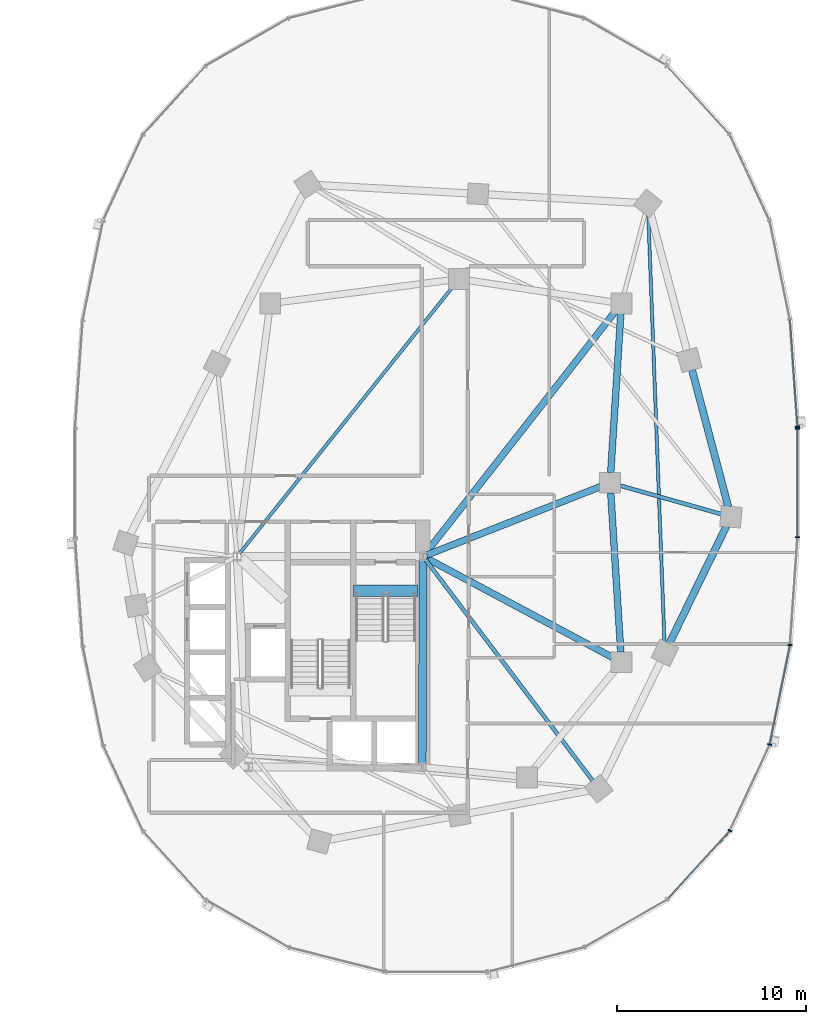
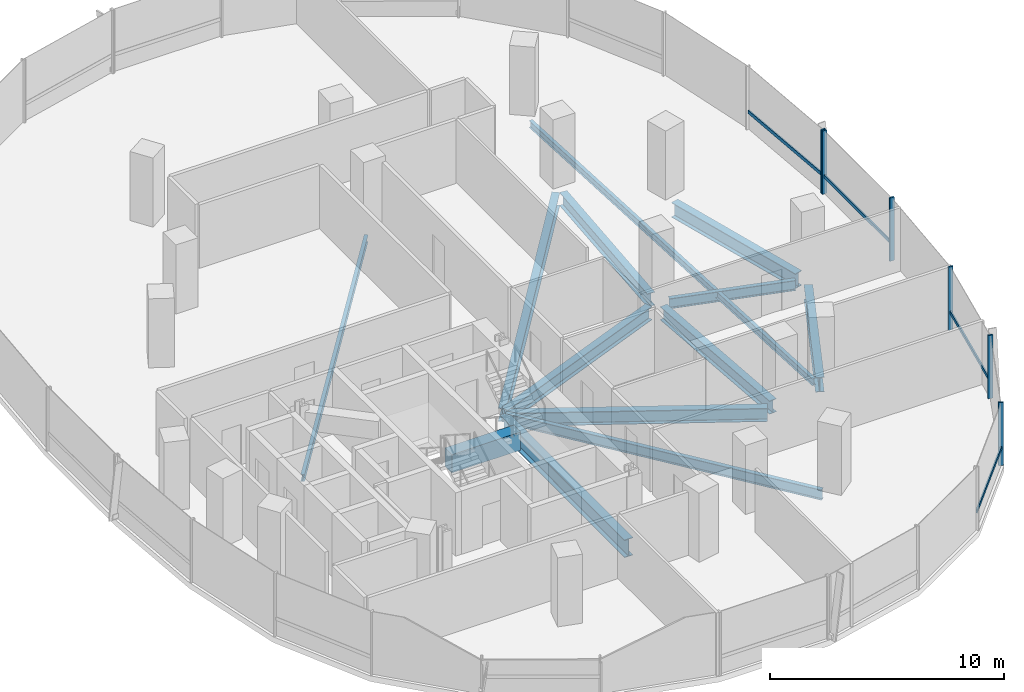
# One storey, part 6 of 21: 13 beams, 10 members, 2 elements without a shape of their own.
"""IFC4 building model written with IfcOpenShell, lengths in metres."""

from ifc_helpers import new_model, si_unit, direction, frame, origin, origin_2d, place, context, subcontext, project, spatial, rectangle, i_section, extrude, material, material_profile, profile_set, type_object, element, aggregate, save


model = new_model("IFC4")

# Units and contexts
model_context = context("Model", 3, precision=1e-05, world=origin(), true_north=direction((0.0, 1.0)))
body_context = subcontext(model_context, "Body", "Model", "MODEL_VIEW")
ifc_project = project(units=[si_unit("LENGTHUNIT", "METRE"), si_unit("AREAUNIT", "SQUARE_METRE"), si_unit("VOLUMEUNIT", "CUBIC_METRE"), si_unit("PLANEANGLEUNIT", "RADIAN"), si_unit("MASSUNIT", "GRAM", prefix="KILO"), si_unit("THERMODYNAMICTEMPERATUREUNIT", "KELVIN"), si_unit("POWERUNIT", "WATT")], contexts=[model_context])

# Site, building, storey
site_placement = place(None, origin())
site = spatial("IfcSite", under=ifc_project, at=site_placement, CompositionType="ELEMENT")
building_placement = place(site_placement, origin())
building = spatial("IfcBuilding", under=site, at=building_placement, Name="Cundina Bronze Exchange", CompositionType="ELEMENT")
storey_placement = place(building_placement, frame((0.0, 0.0, 89.0)))
storey = spatial("IfcBuildingStorey", under=building, at=storey_placement, Name="L22", CompositionType="ELEMENT", Elevation=89.0)

# Beams
ifc_material_1 = material(Name="Concrete C60/75", Category="concrete")
ifc_material_profile_1 = material_profile(ifc_material_1, rectangle(XDim=0.60009765625, YDim=0.949951171875, at=origin_2d()), Name="RC600X950", Category="concrete")
ifc_profile_set_1 = profile_set([ifc_material_profile_1], Name="Concrete C60/75")
beam_type_1 = type_object("IfcBeamType", Name="BM-COUP-RC950", PredefinedType="LINTEL", material=ifc_profile_set_1)
beam_1_placement = place(storey_placement, frame((27.6201171875, -5.719970703125, -0.47509765625), z_axis=(1.0, 0.0, 0.0), x_axis=(0.0, 1.0, 0.0)))
element("IfcBeam", 1, at=beam_1_placement, inside=storey, type_object=beam_type_1, Name="L22 Stair E1 Landing Header Beam", PredefinedType="LINTEL", context=body_context, shape_type="SweptSolid", body=[
    extrude(rectangle(XDim=0.60009765625, YDim=0.949951171875, at=origin_2d()), origin(), (0.0, 0.0, 1.0), 3.39990234375),
])
ifc_material_2 = material(Name="Steel ASTM A992 Grade 50", Category="steel")
ifc_material_profile_2 = material_profile(ifc_material_2, i_section(OverallWidth=0.2099609375, OverallDepth=0.532958984375, WebThickness=0.01025390625, FlangeThickness=0.015625, FilletRadius=0.013916015625, at=origin_2d()), Name="W21X62", Category="steel")
ifc_profile_set_2 = profile_set([ifc_material_profile_2], Name="Steel ASTM A992 Grade 50")
beam_type_2 = type_object("IfcBeamType", Name="BM-FLR-W21B", PredefinedType="BEAM", material=ifc_profile_set_2)
beam_2_placement = place(storey_placement, frame((31.423095703125, -4.062744140625, -0.56640625), z_axis=(0.603095885041, -0.797668699052, 0.0), x_axis=(0.797668699052, 0.603095885041, 0.0)))
element("IfcBeam", 2, at=beam_2_placement, inside=storey, type_object=beam_type_2, Name="L22 Leg E Chordal Floor Beam 06", PredefinedType="BEAM", context=body_context, shape_type="SweptSolid", body=[
    extrude(i_section(OverallWidth=0.2099609375, OverallDepth=0.532958984375, WebThickness=0.01025390625, FlangeThickness=0.015625, FilletRadius=0.013916015625, at=origin_2d()), origin(), (0.0, 0.0, 1.0), 14.677978515625),
])
beam_3_placement = place(storey_placement, frame((41.718017578125, -0.145751953125, -0.56640625), z_axis=(0.962654865541, -0.270731619598, 0.0), x_axis=(0.270731619598, 0.962654865541, 0.0)))
element("IfcBeam", 3, at=beam_3_placement, inside=storey, type_object=beam_type_2, Name="L22 Leg E Chordal Floor Beam 08", PredefinedType="BEAM", context=body_context, shape_type="SweptSolid", body=[
    extrude(i_section(OverallWidth=0.2099609375, OverallDepth=0.532958984375, WebThickness=0.01025390625, FlangeThickness=0.015625, FilletRadius=0.013916015625, at=origin_2d()), origin(), (0.0, 0.0, 1.0), 5.572021484375),
])
ifc_material_profile_3 = material_profile(ifc_material_2, i_section(OverallWidth=0.172119140625, OverallDepth=0.35791015625, WebThickness=0.0078125, FlangeThickness=0.01318359375, FilletRadius=0.010009765625, at=origin_2d()), Name="W14X38", Category="steel")
ifc_profile_set_3 = profile_set([ifc_material_profile_3], Name="Steel ASTM A992 Grade 50")
beam_type_3 = type_object("IfcBeamType", Name="BM-JST-W14", PredefinedType="JOIST", material=ifc_profile_set_3)
beam_4_placement = place(storey_placement, frame((21.577392578125, -3.740478515625, -0.47900390625), z_axis=(0.62436887964, 0.781129632095, 0.0), x_axis=(-0.781129632095, 0.62436887964, 0.0)))
element("IfcBeam", 4, at=beam_4_placement, inside=storey, type_object=beam_type_3, Name="L22 E Interior Core-to-Ring Joist 2", PredefinedType="JOIST", context=body_context, shape_type="SweptSolid", body=[
    extrude(i_section(OverallWidth=0.172119140625, OverallDepth=0.35791015625, WebThickness=0.0078125, FlangeThickness=0.01318359375, FilletRadius=0.010009765625, at=origin_2d()), origin(), (0.0, 0.0, 1.0), 18.076904296875),
])
beam_5_placement = place(storey_placement, frame((44.07958984375, -8.46240234375, -0.47900390625), z_axis=(-0.03778951385, 0.999285721224, 0.0), x_axis=(-0.999285721224, -0.03778951385, 0.0)))
element("IfcBeam", 5, at=beam_5_placement, inside=storey, type_object=beam_type_3, Name="L22 Leg E Lobe Floor Joist 07-10", PredefinedType="JOIST", context=body_context, shape_type="SweptSolid", body=[
    extrude(i_section(OverallWidth=0.172119140625, OverallDepth=0.35791015625, WebThickness=0.0078125, FlangeThickness=0.01318359375, FilletRadius=0.010009765625, at=origin_2d()), origin(), (0.0, 0.0, 1.0), 22.7412109375),
])
ifc_material_profile_4 = material_profile(ifc_material_2, i_section(OverallWidth=0.35498046875, OverallDepth=0.695068359375, WebThickness=0.015380859375, FlangeThickness=0.02490234375, FilletRadius=0.01806640625, at=origin_2d()), Name="W27X146", Category="steel")
ifc_profile_set_4 = profile_set([ifc_material_profile_4], Name="Steel ASTM A992 Grade 50")
beam_type_4 = type_object("IfcBeamType", Name="BM-RING-W27", PredefinedType="USERDEFINED", material=ifc_profile_set_4)
for number, where, z_axis, x_axis, name in (
    (6, (41.76611328125, -8.963134765625, -0.6474609375), (-0.06303715519, 0.998011180832, 0.0), (-0.998011180832, -0.06303715519, 0.0), "L22 E Inner Structural Ring Girder 03"),
    (7, (41.23388671875, 0.536865234375, -0.6474609375), (0.06303715519, 0.998011180832, 0.0), (-0.998011180832, 0.06303715519, 0.0), "L22 E Inner Structural Ring Girder 04"),
):
    element("IfcBeam", number, at=place(storey_placement, frame(where, z_axis=z_axis, x_axis=x_axis)), inside=storey, type_object=beam_type_4, Name=name, ObjectType="GIRDER", PredefinedType="USERDEFINED", context=body_context, shape_type="SweptSolid", body=[
        extrude(i_section(OverallWidth=0.35498046875, OverallDepth=0.695068359375, WebThickness=0.015380859375, FlangeThickness=0.02490234375, FilletRadius=0.01806640625, at=origin_2d()), origin(), (0.0, 0.0, 1.0), 8.443115234375),
    ])
beam_6_placement = place(storey_placement, frame((31.48974609375, -3.8251953125, -0.6474609375), z_axis=(0.930413235418, 0.366512225388, 0.0), x_axis=(-0.366512225388, 0.930413235418, 0.0)))
element("IfcBeam", 8, at=beam_6_placement, inside=storey, type_object=beam_type_4, Name="L22 E Core-to-Waist Tie Beam 1", ObjectType="GIRDER", PredefinedType="USERDEFINED", context=body_context, shape_type="SweptSolid", body=[
    extrude(i_section(OverallWidth=0.35498046875, OverallDepth=0.695068359375, WebThickness=0.015380859375, FlangeThickness=0.02490234375, FilletRadius=0.01806640625, at=origin_2d()), origin(), (0.0, 0.0, 1.0), 9.8984375),
])
beam_7_placement = place(storey_placement, frame((31.47998046875, -3.99609375, -0.6474609375), z_axis=(0.882354758239, -0.470584828286, 0.0), x_axis=(0.470584828286, 0.882354758239, 0.0)))
element("IfcBeam", 9, at=beam_7_placement, inside=storey, type_object=beam_type_4, Name="L22 E Core-to-Waist Tie Beam 2", ObjectType="GIRDER", PredefinedType="USERDEFINED", context=body_context, shape_type="SweptSolid", body=[
    extrude(i_section(OverallWidth=0.35498046875, OverallDepth=0.695068359375, WebThickness=0.015380859375, FlangeThickness=0.02490234375, FilletRadius=0.01806640625, at=origin_2d()), origin(), (0.0, 0.0, 1.0), 11.157958984375),
])
beam_8_placement = place(storey_placement, frame((31.42578125, -3.739501953125, -0.6474609375), z_axis=(0.616789275748, 0.787128318206, 0.0), x_axis=(-0.787128318206, 0.616789275748, 0.0)))
element("IfcBeam", 10, at=beam_8_placement, inside=storey, type_object=beam_type_4, Name="L22 E Core-to-Waist Tie Beam 3", ObjectType="GIRDER", PredefinedType="USERDEFINED", context=body_context, shape_type="SweptSolid", body=[
    extrude(i_section(OverallWidth=0.35498046875, OverallDepth=0.695068359375, WebThickness=0.015380859375, FlangeThickness=0.02490234375, FilletRadius=0.01806640625, at=origin_2d()), origin(), (0.0, 0.0, 1.0), 16.281982421875),
])
ifc_material_profile_5 = material_profile(ifc_material_2, i_section(OverallWidth=0.381103515625, OverallDepth=0.77294921875, WebThickness=0.0166015625, FlangeThickness=0.027099609375, FilletRadius=0.01904296875, at=origin_2d()), Name="W30X173", Category="steel")
ifc_profile_set_5 = profile_set([ifc_material_profile_5], Name="Steel ASTM A992 Grade 50")
beam_type_5 = type_object("IfcBeamType", Name="BM-RING-W30", PredefinedType="USERDEFINED", material=ifc_profile_set_5)
beam_9_placement = place(storey_placement, frame((44.335205078125, -8.51611328125, -0.6865234375), z_axis=(0.437193894283, 0.899367276924, 0.0), x_axis=(-0.899367276924, 0.437193894283, 0.0)))
element("IfcBeam", 11, at=beam_9_placement, inside=storey, type_object=beam_type_5, Name="L22 E Perimeter Ring Girder 07", ObjectType="GIRDER", PredefinedType="USERDEFINED", context=body_context, shape_type="SweptSolid", body=[
    extrude(i_section(OverallWidth=0.381103515625, OverallDepth=0.77294921875, WebThickness=0.0166015625, FlangeThickness=0.027099609375, FilletRadius=0.01904296875, at=origin_2d()), origin(), (0.0, 0.0, 1.0), 6.929443359375),
])
beam_10_placement = place(storey_placement, frame((47.462158203125, -1.280029296875, -0.6865234375), z_axis=(-0.256209719931, 0.966621218168, 0.0), x_axis=(-0.966621218168, -0.256209719931, 0.0)))
element("IfcBeam", 12, at=beam_10_placement, inside=storey, type_object=beam_type_5, Name="L22 E Perimeter Ring Girder 08", ObjectType="GIRDER", PredefinedType="USERDEFINED", context=body_context, shape_type="SweptSolid", body=[
    extrude(i_section(OverallWidth=0.381103515625, OverallDepth=0.77294921875, WebThickness=0.0166015625, FlangeThickness=0.027099609375, FilletRadius=0.01904296875, at=origin_2d()), origin(), (0.0, 0.0, 1.0), 7.5107421875),
])
ifc_material_profile_6 = material_profile(ifc_material_2, i_section(OverallWidth=0.41796875, OverallDepth=0.927001953125, WebThickness=0.019287109375, FlangeThickness=0.031982421875, FilletRadius=0.02392578125, at=origin_2d()), Name="W36X231", Category="steel")
ifc_profile_set_6 = profile_set([ifc_material_profile_6], Name="Steel ASTM A992 Grade 50")
beam_type_6 = type_object("IfcBeamType", Name="BM-WRN-W36B", PredefinedType="USERDEFINED", material=ifc_profile_set_6)
beam_11_placement = place(storey_placement, frame((31.2509765625, -14.845947265625, -0.763427734375), z_axis=(0.004477329608, 0.99998997671, 0.0), x_axis=(-0.99998997671, 0.004477329608, 0.0)))
element("IfcBeam", 13, at=beam_11_placement, inside=storey, type_object=beam_type_6, Name="L22 E Core Perimeter Tie Girder 4", ObjectType="GIRDER", PredefinedType="USERDEFINED", context=body_context, shape_type="SweptSolid", body=[
    extrude(i_section(OverallWidth=0.41796875, OverallDepth=0.927001953125, WebThickness=0.019287109375, FlangeThickness=0.031982421875, FilletRadius=0.02392578125, at=origin_2d()), origin(), (0.0, 0.0, 1.0), 10.741943359375),
])

# Curtain wall, member
ifc_material_3 = material(Name="Anodised Bronze Aluminium 6063-T6", Category="aluminium")
curtain_wall_type = type_object("IfcCurtainWallType", Name="CWS-TRD-MID", PredefinedType="NOTDEFINED", material=ifc_material_3)
curtain_wall_1_placement = place(storey_placement, origin())
curtain_wall_1 = element("IfcCurtainWall", 14, at=curtain_wall_1_placement, inside=storey, type_object=curtain_wall_type, Name="L22 CW-03 Curtain Wall Run CWR-L22-E1", PredefinedType="NOTDEFINED")
ifc_material_profile_7 = material_profile(ifc_material_3, rectangle(XDim=0.074951171875, YDim=0.219970703125, at=origin_2d()), Name="AL75X220", Category="aluminium")
ifc_profile_set_7 = profile_set([ifc_material_profile_7], Name="Anodised Bronze Aluminium 6063-T6")
member_type_1 = type_object("IfcMemberType", Name="CWM-MUL-220", PredefinedType="MULLION", material=ifc_profile_set_7)
member_1_placement = place(storey_placement, frame((51.12451171875, 2.976318359375, 0.0), z_axis=(0.0, 0.0, 1.0), x_axis=(-0.070278787473, 0.997527389113, 0.0)))
member_1 = element("IfcMember", 15, at=member_1_placement, type_object=member_type_1, Name="CW-03 Mullion 1", PredefinedType="MULLION", context=body_context, shape_type="SweptSolid", body=[
    extrude(rectangle(XDim=0.074951171875, YDim=0.219970703125, at=origin_2d()), origin(), (0.0, 0.0, 1.0), 3.300048828125),
])

# Curtain wall, members
curtain_wall_2_placement = place(storey_placement, origin())
curtain_wall_2 = element("IfcCurtainWall", 16, at=curtain_wall_2_placement, inside=storey, type_object=curtain_wall_type, Name="L22 CW-03 Curtain Wall Run CWR-L22-E4", PredefinedType="NOTDEFINED")
member_2_placement = place(storey_placement, frame((47.544189453125, -18.423583984375, 0.0), z_axis=(0.0, 0.0, 1.0), x_axis=(0.42087749791, 0.907117485088, 0.0)))
member_2 = element("IfcMember", 17, at=member_2_placement, type_object=member_type_1, Name="CW-03 Mullion 4", PredefinedType="MULLION", context=body_context, shape_type="SweptSolid", body=[
    extrude(rectangle(XDim=0.074951171875, YDim=0.219970703125, at=origin_2d()), origin(), (0.0, 0.0, 1.0), 3.300048828125),
])
member_3_placement = place(storey_placement, frame((49.651123046875, -13.861328125, 0.0), z_axis=(0.0, 0.0, 1.0), x_axis=(0.201419845156, 0.979505000486, 0.0)))
member_3 = element("IfcMember", 18, at=member_3_placement, type_object=member_type_1, Name="CW-03 Mullion 5", PredefinedType="MULLION", context=body_context, shape_type="SweptSolid", body=[
    extrude(rectangle(XDim=0.074951171875, YDim=0.219970703125, at=origin_2d()), origin(), (0.0, 0.0, 1.0), 3.300048828125),
])
member_4_placement = place(storey_placement, frame((50.72900390625, -8.591552734375, 0.0), z_axis=(0.0, 0.0, 1.0), x_axis=(0.070278787473, 0.997527389113, 0.0)))
member_4 = element("IfcMember", 19, at=member_4_placement, type_object=member_type_1, Name="CW-03 Mullion 6", PredefinedType="MULLION", context=body_context, shape_type="SweptSolid", body=[
    extrude(rectangle(XDim=0.074951171875, YDim=0.219970703125, at=origin_2d()), origin(), (0.0, 0.0, 1.0), 3.300048828125),
])
member_5_placement = place(storey_placement, frame((51.1279296875, -2.880615234375, 0.0), z_axis=(0.0, 0.0, 1.0), x_axis=(0.0, 1.0, 0.0)))
member_5 = element("IfcMember", 20, at=member_5_placement, type_object=member_type_1, Name="CW-03 Mullion 7", PredefinedType="MULLION", context=body_context, shape_type="SweptSolid", body=[
    extrude(rectangle(XDim=0.074951171875, YDim=0.219970703125, at=origin_2d()), origin(), (0.0, 0.0, 1.0), 3.300048828125),
])
member_6_placement = place(storey_placement, frame((51.1279296875, 2.880615234375, 0.0), z_axis=(0.0, 0.0, 1.0), x_axis=(0.0, 1.0, 0.0)))
member_6 = element("IfcMember", 21, at=member_6_placement, type_object=member_type_1, Name="CW-03 End Mullion", PredefinedType="MULLION", context=body_context, shape_type="SweptSolid", body=[
    extrude(rectangle(XDim=0.074951171875, YDim=0.219970703125, at=origin_2d()), origin(), (0.0, 0.0, 1.0), 3.300048828125),
])

# Member
ifc_material_profile_8 = material_profile(ifc_material_3, rectangle(XDim=0.070068359375, YDim=0.179931640625, at=origin_2d()), Name="AL70X180", Category="aluminium")
ifc_profile_set_8 = profile_set([ifc_material_profile_8], Name="Anodised Bronze Aluminium 6063-T6")
member_type_2 = type_object("IfcMemberType", Name="CWM-TRN-180", PredefinedType="USERDEFINED", material=ifc_profile_set_8)
member_7_placement = place(storey_placement, frame((51.12158203125, 3.017333984375, 0.919921875), z_axis=(-0.070260714471, 0.997528662246, 0.0), x_axis=(-0.997528662246, -0.070260714471, 0.0)))
member_7 = element("IfcMember", 22, at=member_7_placement, type_object=member_type_2, Name="CW-03 Spandrel Transom 1", ObjectType="TRANSOM", PredefinedType="USERDEFINED", context=body_context, shape_type="SweptSolid", body=[
    extrude(rectangle(XDim=0.070068359375, YDim=0.179931640625, at=origin_2d()), origin(), (0.0, 0.0, 1.0), 5.629150390625),
])

aggregate(curtain_wall_1, [member_1, member_7])

member_8_placement = place(storey_placement, frame((44.26708984375, -22.027099609375, 0.919921875), z_axis=(0.674302794847, 0.738454968743, 0.0), x_axis=(-0.738454968743, 0.674302794847, 0.0)))
member_8 = element("IfcMember", 23, at=member_8_placement, type_object=member_type_2, Name="CW-03 Spandrel Transom 3", ObjectType="TRANSOM", PredefinedType="USERDEFINED", context=body_context, shape_type="SweptSolid", body=[
    extrude(rectangle(XDim=0.070068359375, YDim=0.179931640625, at=origin_2d()), origin(), (0.0, 0.0, 1.0), 4.848388671875),
])

member_9_placement = place(storey_placement, frame((49.659423828125, -13.821044921875, 0.919921875), z_axis=(0.201427712708, 0.979503382615, 0.0), x_axis=(-0.979503382615, 0.201427712708, 0.0)))
member_9 = element("IfcMember", 24, at=member_9_placement, type_object=member_type_2, Name="CW-03 Spandrel Transom 5", ObjectType="TRANSOM", PredefinedType="USERDEFINED", context=body_context, shape_type="SweptSolid", body=[
    extrude(rectangle(XDim=0.070068359375, YDim=0.179931640625, at=origin_2d()), origin(), (0.0, 0.0, 1.0), 5.291748046875),
])

member_10_placement = place(storey_placement, frame((51.1279296875, -2.839111328125, 0.919921875), z_axis=(0.0, 1.0, 0.0), x_axis=(-1.0, 0.0, 0.0)))
member_10 = element("IfcMember", 25, at=member_10_placement, type_object=member_type_2, Name="CW-03 Spandrel Transom 7", ObjectType="TRANSOM", PredefinedType="USERDEFINED", context=body_context, shape_type="SweptSolid", body=[
    extrude(rectangle(XDim=0.070068359375, YDim=0.179931640625, at=origin_2d()), origin(), (0.0, 0.0, 1.0), 5.67822265625),
])

aggregate(curtain_wall_2, [member_8, member_2, member_3, member_9, member_4, member_5, member_6, member_10])

save(model, "model.ifc")
